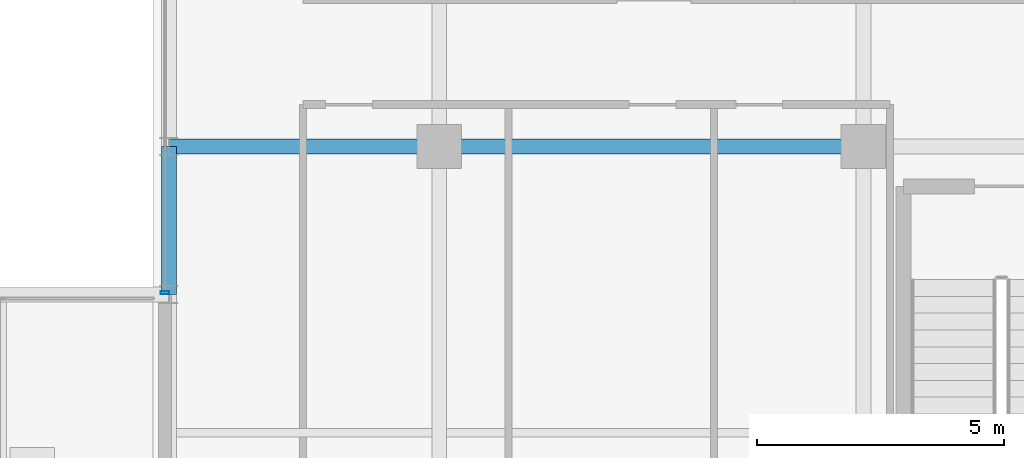
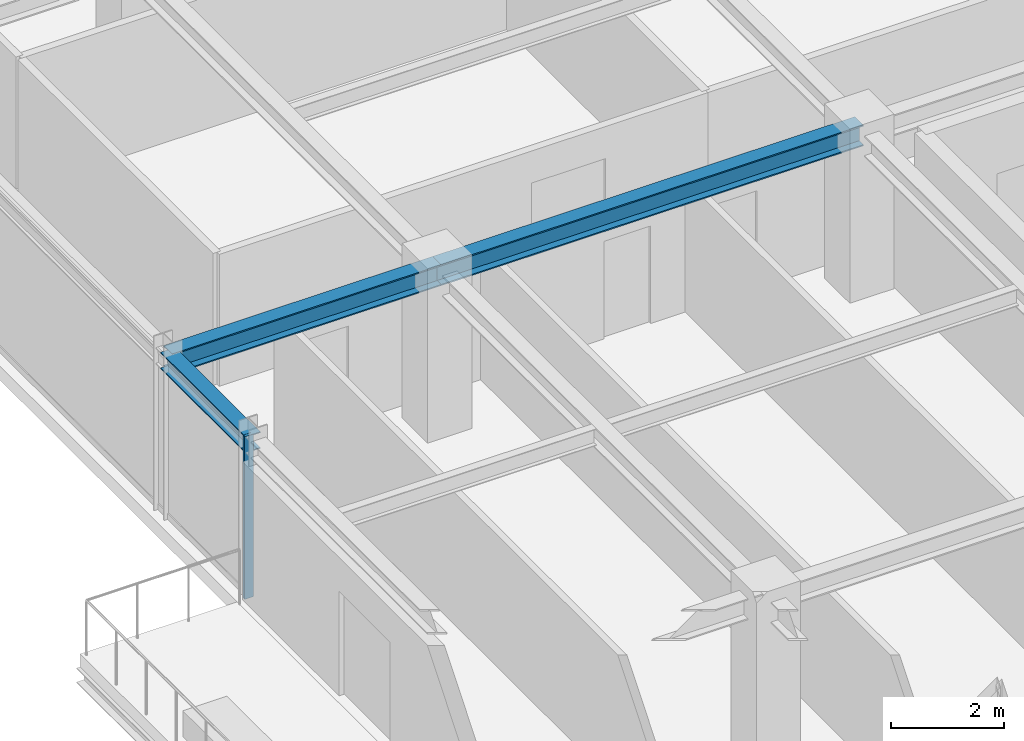
# One storey, part 9 of 31: 3 beams, 1 member, 1 element without a shape of its own.
"""IFC4 building model written with IfcOpenShell, lengths in metres."""

from ifc_helpers import new_model, si_unit, direction, frame, origin, origin_2d, place, context, subcontext, project, spatial, hollow_rectangle, i_section, extrude, source, transform, mapped, material, material_profile, profile_set, type_object, element, aggregate, save


model = new_model("IFC4")

# Units and contexts
model_context = context("Model", 3, precision=1e-05, world=origin(), true_north=direction((0.0, 1.0)))
body_context = subcontext(model_context, "Body", "Model", "MODEL_VIEW")
ifc_project = project(units=[si_unit("LENGTHUNIT", "METRE"), si_unit("AREAUNIT", "SQUARE_METRE"), si_unit("VOLUMEUNIT", "CUBIC_METRE"), si_unit("PLANEANGLEUNIT", "RADIAN"), si_unit("MASSUNIT", "GRAM", prefix="KILO")], contexts=[model_context])

# Site, building, storey
site_placement = place(None, origin())
site = spatial("IfcSite", under=ifc_project, at=site_placement, CompositionType="ELEMENT")
building_placement = place(site_placement, origin())
building = spatial("IfcBuilding", under=site, at=building_placement, Name="Nahalor Promenade Grand Hotel", CompositionType="ELEMENT")
storey_placement = place(building_placement, frame((0.0, 0.0, 323.35009765625)))
storey = spatial("IfcBuildingStorey", under=building, at=storey_placement, Name="L83", CompositionType="ELEMENT", Elevation=323.35009765625)

# Beams
ifc_material_1 = material(Name="Steel S355JR", Category="steel")
ifc_material_profile_1 = material_profile(ifc_material_1, i_section(OverallWidth=0.3, OverallDepth=0.45, WebThickness=0.014, FlangeThickness=0.026, at=origin_2d()), Name="HEB 450")
ifc_profile_set_1 = profile_set([ifc_material_profile_1], Name="Steel S355JR")
beam_type_1 = type_object("IfcBeamType", Name="Beam-Girder-HEB450", PredefinedType="BEAM", material=ifc_profile_set_1)
shared_shape_1 = source(origin(), body_context, "Body", "SweptSolid", [
    extrude(i_section(OverallWidth=0.3, OverallDepth=0.45, WebThickness=0.014, FlangeThickness=0.026, at=origin_2d()), origin(), (0.0, 0.0, 1.0), 8.60009765625),
])
beam_1_placement = place(storey_placement, frame((-17.0, -5.39990234375, 3.27490234375), z_axis=(1.0, 0.0, 0.0), x_axis=(0.0, 1.0, 0.0)))
element("IfcBeam", 1, at=beam_1_placement, inside=storey, type_object=beam_type_1, Name="BM-L83-GX-1-1", PredefinedType="BEAM", context=body_context, shape_type="MappedRepresentation", body=[
    mapped(shared_shape_1, transform((0.0, 0.0, 0.0), scale=1.0)),
])
shared_shape_2 = source(origin(), body_context, "Body", "SweptSolid", [
    extrude(i_section(OverallWidth=0.3, OverallDepth=0.45, WebThickness=0.014, FlangeThickness=0.026, at=origin_2d()), origin(), (0.0, 0.0, 1.0), 5.47998046875),
])
beam_2_placement = place(storey_placement, frame((-22.47998046875, -5.39990234375, 3.27490234375), z_axis=(1.0, 0.0, 0.0), x_axis=(0.0, 1.0, 0.0)))
element("IfcBeam", 2, at=beam_2_placement, inside=storey, type_object=beam_type_1, Name="BM-L83-GX-1-0", PredefinedType="BEAM", context=body_context, shape_type="MappedRepresentation", body=[
    mapped(shared_shape_2, transform((0.0, 0.0, 0.0), scale=1.0)),
])
ifc_material_profile_2 = material_profile(ifc_material_1, i_section(OverallWidth=0.3, OverallDepth=0.36, WebThickness=0.0125, FlangeThickness=0.0225, at=origin_2d()), Name="HEB 360")
ifc_profile_set_2 = profile_set([ifc_material_profile_2], Name="Steel S355JR")
beam_type_2 = type_object("IfcBeamType", Name="Beam-Spandrel-HEB360", PredefinedType="SPANDREL", material=ifc_profile_set_2)
shared_shape_3 = source(origin(), body_context, "Body", "SweptSolid", [
    extrude(i_section(OverallWidth=0.3, OverallDepth=0.36, WebThickness=0.0125, FlangeThickness=0.0225, at=origin_2d()), origin(), (0.0, 0.0, 1.0), 3.0),
])
beam_3_placement = place(storey_placement, frame((-22.47998046875, -8.39990234375, 3.31982421875), z_axis=(0.0, 1.0, 0.0), x_axis=(-1.0, 0.0, 0.0)))
element("IfcBeam", 3, at=beam_3_placement, inside=storey, type_object=beam_type_2, Name="BM-L83-SP-W-1", PredefinedType="SPANDREL", context=body_context, shape_type="MappedRepresentation", body=[
    mapped(shared_shape_3, transform((0.0, 0.0, 0.0), scale=1.0)),
])

# Curtain wall, member
ifc_material_2 = material(Name="Anodised Bronze Aluminium EN AW-6063 T6", Category="aluminium")
curtain_wall_type = type_object("IfcCurtainWallType", Name="CW2 Typical Hotel Flush Bronze Unitised Curtain Wall", PredefinedType="USERDEFINED", material=ifc_material_2)
curtain_wall_placement = place(storey_placement, origin())
curtain_wall = element("IfcCurtainWall", 4, at=curtain_wall_placement, inside=storey, type_object=curtain_wall_type, Name="L83 Curtain Wall CW-L83-W-3", ObjectType="UNITISED_CURTAIN_WALL", PredefinedType="USERDEFINED")
ifc_material_profile_3 = material_profile(ifc_material_2, hollow_rectangle(XDim=0.065, YDim=0.18, WallThickness=0.004, at=origin_2d()), Name="CWM 65x180x4")
ifc_profile_set_3 = profile_set([ifc_material_profile_3], Name="Anodised Bronze Aluminium EN AW-6063 T6")
member_type = type_object("IfcMemberType", Name="CWM2 Typical Bronze Mullion 65x180", PredefinedType="MULLION", material=ifc_profile_set_3)
shared_shape_4 = source(origin(), body_context, "Body", "SweptSolid", [
    extrude(hollow_rectangle(XDim=0.065, YDim=0.18, WallThickness=0.004, at=origin_2d()), origin(), (0.0, 0.0, 1.0), 3.5),
])
member_placement = place(storey_placement, frame((-22.56005859375, -8.367431640625, 0.0), z_axis=(0.0, 0.0, 1.0), x_axis=(0.0, 1.0, 0.0)))
member = element("IfcMember", 5, at=member_placement, type_object=member_type, Name="CW-L83-W-3 Mullion 0", PredefinedType="MULLION", context=body_context, shape_type="MappedRepresentation", body=[
    mapped(shared_shape_4, transform((0.0, 0.0, 0.0), scale=1.0)),
])
aggregate(curtain_wall, [member])

save(model, "model.ifc")
